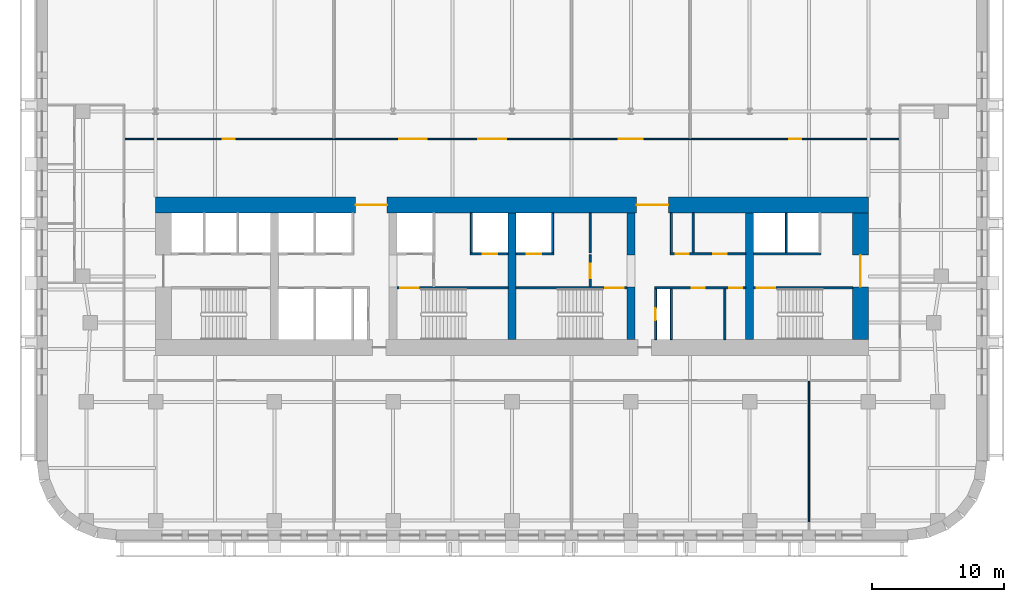
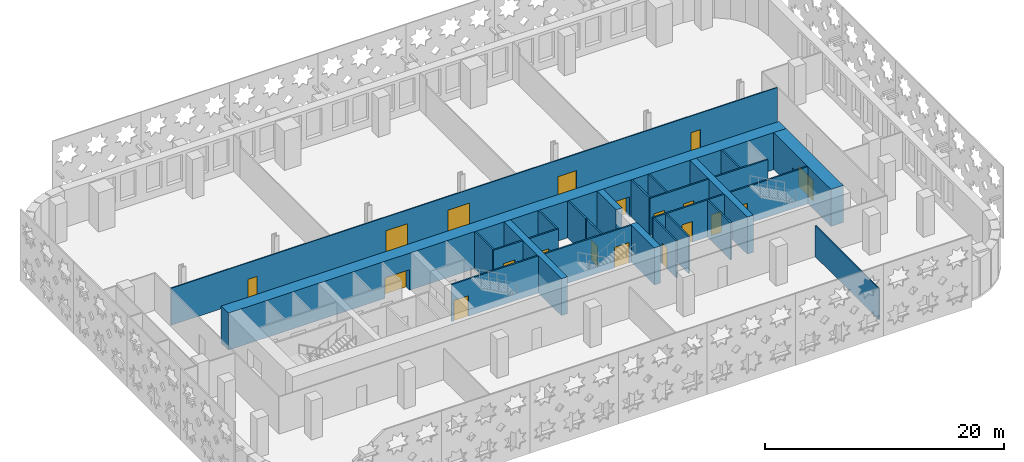
# One storey, part 6 of 14: 26 walls, 19 doors, 19 openings.
"""IFC4 building model written with IfcOpenShell, lengths in metres."""

from ifc_helpers import new_model, si_unit, direction, frame, frame_2d, origin, place, context, subcontext, project, spatial, rectangle, extrude, material, layer, layer_set, type_object, element, fill, save


model = new_model("IFC4")

# Units and contexts
model_context = context("Model", 3, precision=1e-05, world=origin(), true_north=direction((0.0, 1.0)))
body_context = subcontext(model_context, "Body", "Model", "MODEL_VIEW")
ifc_project = project(units=[si_unit("LENGTHUNIT", "METRE"), si_unit("AREAUNIT", "SQUARE_METRE"), si_unit("VOLUMEUNIT", "CUBIC_METRE"), si_unit("PLANEANGLEUNIT", "RADIAN"), si_unit("MASSUNIT", "GRAM", prefix="KILO")], contexts=[model_context])

# Site, building, storey
site_placement = place(None, origin())
site = spatial("IfcSite", under=ifc_project, at=site_placement, CompositionType="ELEMENT")
building_placement = place(site_placement, origin())
building = spatial("IfcBuilding", under=site, at=building_placement, Name="Zellij Exchange Tower", CompositionType="ELEMENT")
storey_placement = place(building_placement, frame((0.0, 0.0, 68.5)))
storey = spatial("IfcBuildingStorey", under=building, at=storey_placement, Name="L13", CompositionType="ELEMENT", Elevation=68.5)

# Walls
ifc_material_1 = material(Name="Concrete C70/85", Category="concrete")
ifc_layer_1 = layer(ifc_material_1, 0.60009765625)
ifc_layer_set_1 = layer_set([ifc_layer_1], Name="Concrete C70/85")
wall_type_1 = type_object("IfcWallType", Name="CORE-CW 600 C70/85", PredefinedType="SHEAR", material=ifc_layer_set_1)
wall_1_placement = place(storey_placement, frame((0.0, -12.800048828125, 0.0), z_axis=(0.0, 0.0, 1.0), x_axis=(0.0, 1.0, 0.0)))
element("IfcWall", 1, at=wall_1_placement, inside=storey, type_object=wall_type_1, Name="Core cross wall x 0 L13", PredefinedType="SHEAR", context=body_context, shape_type="SweptSolid", body=[
    extrude(rectangle(XDim=9.60009765625, YDim=0.60009765625, at=frame_2d((4.800048828125, 0.0))), origin(), (0.0, 0.0, 1.0), 3.800048828125),
])
wall_2_placement = place(storey_placement, frame((9.0, -12.800048828125, 0.0), z_axis=(0.0, 0.0, 1.0), x_axis=(0.0, 1.0, 0.0)))
element("IfcWall", 2, at=wall_2_placement, inside=storey, type_object=wall_type_1, Name="Core cross wall pier x 9 a L13", PredefinedType="SHEAR", context=body_context, shape_type="SweptSolid", body=[
    extrude(rectangle(XDim=4.0, YDim=0.60009765625, at=frame_2d((2.0, 0.0))), origin(), (0.0, 0.0, 1.0), 3.800048828125),
])
wall_3_placement = place(storey_placement, frame((9.0, -6.375, 0.0), z_axis=(0.0, 0.0, 1.0), x_axis=(0.0, 1.0, 0.0)))
element("IfcWall", 3, at=wall_3_placement, inside=storey, type_object=wall_type_1, Name="Core cross wall pier x 9 b L13", PredefinedType="SHEAR", context=body_context, shape_type="SweptSolid", body=[
    extrude(rectangle(XDim=3.175048828125, YDim=0.60009765625, at=frame_2d((1.58740234375, 0.0))), origin(), (0.0, 0.0, 1.0), 3.800048828125),
])
wall_4_placement = place(storey_placement, frame((18.0, -12.800048828125, 0.0), z_axis=(0.0, 0.0, 1.0), x_axis=(0.0, 1.0, 0.0)))
element("IfcWall", 4, at=wall_4_placement, inside=storey, type_object=wall_type_1, Name="Core cross wall x 18 L13", PredefinedType="SHEAR", context=body_context, shape_type="SweptSolid", body=[
    extrude(rectangle(XDim=9.60009765625, YDim=0.60009765625, at=frame_2d((4.800048828125, 0.0))), origin(), (0.0, 0.0, 1.0), 3.800048828125),
])

# Wall, opening, door
ifc_material_2 = material(Name="Gypsum shaft wall system")
ifc_layer_2 = layer(ifc_material_2, 0.14990234375)
ifc_layer_set_2 = layer_set([ifc_layer_2], Name="Gypsum shaft wall system")
wall_type_2 = type_object("IfcWallType", Name="CORE-PW 150 Firefighting lobby wall", PredefinedType="PARTITIONING", material=ifc_layer_set_2)
wall_5_placement = place(storey_placement, frame((5.925048828125, -8.800048828125, 0.0), z_axis=(0.0, 0.0, 1.0), x_axis=(0.0, 1.0, 0.0)))
wall_5 = element("IfcWall", 5, at=wall_5_placement, inside=storey, type_object=wall_type_2, Name="Firefighting lobby wall L13", PredefinedType="PARTITIONING", context=body_context, shape_type="SweptSolid", body=[
    extrude(rectangle(XDim=2.425048828125, YDim=0.14990234375, at=frame_2d((1.21240234375, 0.0))), origin(), (0.0, 0.0, 1.0), 3.800048828125),
])
opening_1_placement = place(wall_5_placement, frame((0.662109375, 0.0, 0.0)))
opening_1 = element("IfcOpeningElement", 6, at=opening_1_placement, cuts=wall_5, Name="Opening CA-08.18", PredefinedType="OPENING", context=body_context, shape_type="SweptSolid", body=[
    extrude(rectangle(XDim=1.10009765625, YDim=2.10009765625, at=frame_2d((0.550048828125, 1.050048828125))), frame((0.0, 0.0869140625, 0.0), z_axis=(0.0, -1.0, 0.0), x_axis=(1.0, 0.0, 0.0)), (0.0, 0.0, 1.0), 0.173828125),
])
ifc_material_3 = material(Name="Hollow metal fire door")
door_type_1 = type_object("IfcDoorType", Name="CORE-D F Firefighting lobby door 1100x2100 1 HR", OperationType="NOTDEFINED", PredefinedType="DOOR", material=ifc_material_3)
door_1_placement = place(opening_1_placement, origin())
door_1 = element("IfcDoor", 7, at=door_1_placement, inside=storey, type_object=door_type_1, Name="Firefighting lobby door CA-08.18", OperationType="SINGLE_SWING_RIGHT", OverallHeight=2.10009765625, OverallWidth=1.10009765625, PredefinedType="DOOR", context=body_context, shape_type="SweptSolid", body=[
    extrude(rectangle(XDim=1.10009765625, YDim=2.10009765625, at=frame_2d((0.550048828125, 1.050048828125))), frame((0.0, 0.02490234375, 0.0), z_axis=(0.0, -1.0, 0.0), x_axis=(1.0, 0.0, 0.0)), (0.0, 0.0, 1.0), 0.050048828125),
])
fill(opening_1, door_1)

# Walls
ifc_material_4 = material(Name="Gypsum board partition")
ifc_layer_3 = layer(ifc_material_4, 0.14990234375)
ifc_layer_set_3 = layer_set([ifc_layer_3], Name="Gypsum board partition")
wall_type_3 = type_object("IfcWallType", Name="CORE-PW 150 Lift lobby wall", PredefinedType="PARTITIONING", material=ifc_layer_set_3)
for number, where, z_axis, x_axis, name in (
    (8, (5.925048828125, -6.22509765625, 0.0), (0.0, 0.0, 1.0), (0.0, 1.0, 0.0), "Lift lobby wall L13"),
    (9, (12.074951171875, -6.22509765625, 0.0), (0.0, 0.0, 1.0), (0.0, 1.0, 0.0), "Lift lobby wall L13"),
    (10, (13.72509765625, -6.22509765625, 0.0), (0.0, 0.0, 1.0), (0.0, 1.0, 0.0), "Lift lobby wall L13"),
):
    element("IfcWall", number, at=place(storey_placement, frame(where, z_axis=z_axis, x_axis=x_axis)), inside=storey, type_object=wall_type_3, Name=name, PredefinedType="PARTITIONING", context=body_context, shape_type="SweptSolid", body=[
        extrude(rectangle(XDim=3.025146484375, YDim=0.14990234375, at=frame_2d((1.5126953125, 0.0))), origin(), (0.0, 0.0, 1.0), 3.800048828125),
    ])

# Wall, opening, door
wall_6_placement = place(storey_placement, frame((10.875, -12.800048828125, 0.0), z_axis=(0.0, 0.0, 1.0), x_axis=(0.0, 1.0, 0.0)))
wall_6 = element("IfcWall", 11, at=wall_6_placement, inside=storey, type_object=wall_type_3, Name="Lift lobby wall L13", PredefinedType="PARTITIONING", context=body_context, shape_type="SweptSolid", body=[
    extrude(rectangle(XDim=3.85009765625, YDim=0.14990234375, at=frame_2d((1.925048828125, 0.0))), origin(), (0.0, 0.0, 1.0), 3.800048828125),
])
opening_2_placement = place(wall_6_placement, frame((1.47509765625, 0.0, 0.0)))
opening_2 = element("IfcOpeningElement", 12, at=opening_2_placement, cuts=wall_6, Name="Opening CA-08.22", PredefinedType="OPENING", context=body_context, shape_type="SweptSolid", body=[
    extrude(rectangle(XDim=0.89990234375, YDim=2.10009765625, at=frame_2d((0.449951171875, 1.050048828125))), frame((0.0, 0.0869140625, 0.0), z_axis=(0.0, -1.0, 0.0), x_axis=(1.0, 0.0, 0.0)), (0.0, 0.0, 1.0), 0.173828125),
])
door_type_2 = type_object("IfcDoorType", Name="CORE-D RD Riser door 900x2100 1.5 HR", OperationType="NOTDEFINED", PredefinedType="DOOR", material=ifc_material_3)
door_2_placement = place(opening_2_placement, origin())
door_2 = element("IfcDoor", 13, at=door_2_placement, inside=storey, type_object=door_type_2, Name="Riser door CA-08.22", OperationType="SINGLE_SWING_LEFT", OverallHeight=2.10009765625, OverallWidth=0.89990234375, PredefinedType="DOOR", context=body_context, shape_type="SweptSolid", body=[
    extrude(rectangle(XDim=0.89990234375, YDim=2.10009765625, at=frame_2d((0.449951171875, 1.050048828125))), frame((0.0, 0.02490234375, 0.0), z_axis=(0.0, -1.0, 0.0), x_axis=(1.0, 0.0, 0.0)), (0.0, 0.0, 1.0), 0.050048828125),
])
fill(opening_2, door_2)

# Walls
for number, where, z_axis, x_axis, name in (
    (14, (12.074951171875, -12.800048828125, 0.0), (0.0, 0.0, 1.0), (0.0, 1.0, 0.0), "Lift lobby wall L13"),
    (15, (16.125, -12.800048828125, 0.0), (0.0, 0.0, 1.0), (0.0, 1.0, 0.0), "Lift lobby wall L13"),
):
    element("IfcWall", number, at=place(storey_placement, frame(where, z_axis=z_axis, x_axis=x_axis)), inside=storey, type_object=wall_type_3, Name=name, PredefinedType="PARTITIONING", context=body_context, shape_type="SweptSolid", body=[
        extrude(rectangle(XDim=3.85009765625, YDim=0.14990234375, at=frame_2d((1.925048828125, 0.0))), origin(), (0.0, 0.0, 1.0), 3.800048828125),
    ])

# Wall, openings, doors
wall_7_placement = place(storey_placement, frame((12.0, -6.300048828125, 0.0), z_axis=(0.0, 0.0, 1.0), x_axis=(1.0, 0.0, 0.0)))
wall_7 = element("IfcWall", 16, at=wall_7_placement, inside=storey, type_object=wall_type_3, Name="Lift lobby wall L13", PredefinedType="PARTITIONING", context=body_context, shape_type="SweptSolid", body=[
    extrude(rectangle(XDim=5.699951171875, YDim=0.14990234375, at=frame_2d((2.85009765625, 0.0))), origin(), (0.0, 0.0, 1.0), 3.800048828125),
])
opening_3_placement = place(wall_7_placement, frame((0.39990234375, 0.0, 0.0)))
opening_3 = element("IfcOpeningElement", 17, at=opening_3_placement, cuts=wall_7, Name="Opening CA-08.23", PredefinedType="OPENING", context=body_context, shape_type="SweptSolid", body=[
    extrude(rectangle(XDim=1.0, YDim=2.10009765625, at=frame_2d((0.5, 1.050048828125))), frame((0.0, 0.0869140625, 0.0), z_axis=(0.0, -1.0, 0.0), x_axis=(1.0, 0.0, 0.0)), (0.0, 0.0, 1.0), 0.173828125),
])
opening_4_placement = place(wall_7_placement, frame((3.25, 0.0, 0.0)))
opening_4 = element("IfcOpeningElement", 18, at=opening_4_placement, cuts=wall_7, Name="Opening CA-08.25", PredefinedType="OPENING", context=body_context, shape_type="SweptSolid", body=[
    extrude(rectangle(XDim=1.0, YDim=2.10009765625, at=frame_2d((0.5, 1.050048828125))), frame((0.0, 0.0869140625, 0.0), z_axis=(0.0, -1.0, 0.0), x_axis=(1.0, 0.0, 0.0)), (0.0, 0.0, 1.0), 0.173828125),
])
door_type_3 = type_object("IfcDoorType", Name="CORE-D CD Core room door 1000x2100 1 HR", OperationType="NOTDEFINED", PredefinedType="DOOR", material=ifc_material_3)
door_3_placement = place(opening_3_placement, origin())
door_3 = element("IfcDoor", 19, at=door_3_placement, inside=storey, type_object=door_type_3, Name="Core room door CA-08.23", OperationType="SINGLE_SWING_LEFT", OverallHeight=2.10009765625, OverallWidth=1.0, PredefinedType="DOOR", context=body_context, shape_type="SweptSolid", body=[
    extrude(rectangle(XDim=1.0, YDim=2.10009765625, at=frame_2d((0.5, 1.050048828125))), frame((0.0, 0.02490234375, 0.0), z_axis=(0.0, -1.0, 0.0), x_axis=(1.0, 0.0, 0.0)), (0.0, 0.0, 1.0), 0.050048828125),
])
fill(opening_3, door_3)
door_4_placement = place(opening_4_placement, origin())
door_4 = element("IfcDoor", 20, at=door_4_placement, inside=storey, type_object=door_type_3, Name="Core room door CA-08.25", OperationType="SINGLE_SWING_RIGHT", OverallHeight=2.10009765625, OverallWidth=1.0, PredefinedType="DOOR", context=body_context, shape_type="SweptSolid", body=[
    extrude(rectangle(XDim=1.0, YDim=2.10009765625, at=frame_2d((0.5, 1.050048828125))), frame((0.0, 0.02490234375, 0.0), z_axis=(0.0, -1.0, 0.0), x_axis=(1.0, 0.0, 0.0)), (0.0, 0.0, 1.0), 0.050048828125),
])
fill(opening_4, door_4)

wall_8_placement = place(storey_placement, frame((10.800048828125, -8.875, 0.0), z_axis=(0.0, 0.0, 1.0), x_axis=(1.0, 0.0, 0.0)))
wall_8 = element("IfcWall", 21, at=wall_8_placement, inside=storey, type_object=wall_type_3, Name="Lift lobby wall L13", PredefinedType="PARTITIONING", context=body_context, shape_type="SweptSolid", body=[
    extrude(rectangle(XDim=6.89990234375, YDim=0.14990234375, at=frame_2d((3.449951171875, 0.0))), origin(), (0.0, 0.0, 1.0), 3.800048828125),
])
opening_5_placement = place(wall_8_placement, frame((2.800048828125, 0.0, 0.0)))
opening_5 = element("IfcOpeningElement", 22, at=opening_5_placement, cuts=wall_8, Name="Opening CA-08.24", PredefinedType="OPENING", context=body_context, shape_type="SweptSolid", body=[
    extrude(rectangle(XDim=1.0, YDim=2.10009765625, at=frame_2d((0.5, 1.050048828125))), frame((0.0, 0.0869140625, 0.0), z_axis=(0.0, -1.0, 0.0), x_axis=(1.0, 0.0, 0.0)), (0.0, 0.0, 1.0), 0.173828125),
])
opening_6_placement = place(wall_8_placement, frame((5.64990234375, 0.0, 0.0)))
opening_6 = element("IfcOpeningElement", 23, at=opening_6_placement, cuts=wall_8, Name="Opening CA-08.26", PredefinedType="OPENING", context=body_context, shape_type="SweptSolid", body=[
    extrude(rectangle(XDim=1.0, YDim=2.10009765625, at=frame_2d((0.5, 1.050048828125))), frame((0.0, 0.0869140625, 0.0), z_axis=(0.0, -1.0, 0.0), x_axis=(1.0, 0.0, 0.0)), (0.0, 0.0, 1.0), 0.173828125),
])
door_5_placement = place(opening_5_placement, origin())
door_5 = element("IfcDoor", 24, at=door_5_placement, inside=storey, type_object=door_type_3, Name="Core room door CA-08.24", OperationType="SINGLE_SWING_RIGHT", OverallHeight=2.10009765625, OverallWidth=1.0, PredefinedType="DOOR", context=body_context, shape_type="SweptSolid", body=[
    extrude(rectangle(XDim=1.0, YDim=2.10009765625, at=frame_2d((0.5, 1.050048828125))), frame((0.0, 0.02490234375, 0.0), z_axis=(0.0, -1.0, 0.0), x_axis=(1.0, 0.0, 0.0)), (0.0, 0.0, 1.0), 0.050048828125),
])
fill(opening_5, door_5)
door_6_placement = place(opening_6_placement, origin())
door_6 = element("IfcDoor", 25, at=door_6_placement, inside=storey, type_object=door_type_3, Name="Core room door CA-08.26", OperationType="SINGLE_SWING_LEFT", OverallHeight=2.10009765625, OverallWidth=1.0, PredefinedType="DOOR", context=body_context, shape_type="SweptSolid", body=[
    extrude(rectangle(XDim=1.0, YDim=2.10009765625, at=frame_2d((0.5, 1.050048828125))), frame((0.0, 0.02490234375, 0.0), z_axis=(0.0, -1.0, 0.0), x_axis=(1.0, 0.0, 0.0)), (0.0, 0.0, 1.0), 0.050048828125),
])
fill(opening_6, door_6)

# Walls
ifc_layer_4 = layer(ifc_material_2, 0.14990234375)
ifc_layer_set_4 = layer_set([ifc_layer_4], Name="Gypsum shaft wall system")
wall_type_4 = type_object("IfcWallType", Name="CORE-PW 150 Lift shaft wall", PredefinedType="PARTITIONING", material=ifc_layer_set_4)
for number, where, z_axis, x_axis, name in (
    (26, (-3.074951171875, -6.22509765625, 0.0), (0.0, 0.0, 1.0), (0.0, 1.0, 0.0), "Lift shaft wall L13"),
    (27, (3.074951171875, -6.22509765625, 0.0), (0.0, 0.0, 1.0), (0.0, 1.0, 0.0), "Lift shaft wall L13"),
    (28, (20.77490234375, -6.22509765625, 0.0), (0.0, 0.0, 1.0), (0.0, 1.0, 0.0), "Lift shaft wall L13"),
):
    element("IfcWall", number, at=place(storey_placement, frame(where, z_axis=z_axis, x_axis=x_axis)), inside=storey, type_object=wall_type_4, Name=name, PredefinedType="PARTITIONING", context=body_context, shape_type="SweptSolid", body=[
        extrude(rectangle(XDim=3.025146484375, YDim=0.14990234375, at=frame_2d((1.5126953125, 0.0))), origin(), (0.0, 0.0, 1.0), 3.800048828125),
    ])

# Wall, opening, door
wall_9_placement = place(storey_placement, frame((-3.14990234375, -6.300048828125, 0.0), z_axis=(0.0, 0.0, 1.0), x_axis=(1.0, 0.0, 0.0)))
wall_9 = element("IfcWall", 29, at=wall_9_placement, inside=storey, type_object=wall_type_4, Name="Lift shaft wall L13", PredefinedType="PARTITIONING", context=body_context, shape_type="SweptSolid", body=[
    extrude(rectangle(XDim=2.849853515625, YDim=0.14990234375, at=frame_2d((1.4248046875, 0.0))), origin(), (0.0, 0.0, 1.0), 3.800048828125),
])
opening_7_placement = place(wall_9_placement, frame((0.949951171875, 0.0, 0.0)))
opening_7 = element("IfcOpeningElement", 30, at=opening_7_placement, cuts=wall_9, Name="Opening CA-08.16", PredefinedType="OPENING", context=body_context, shape_type="SweptSolid", body=[
    extrude(rectangle(XDim=1.10009765625, YDim=2.10009765625, at=frame_2d((0.550048828125, 1.050048828125))), frame((0.0, 0.0869140625, 0.0), z_axis=(0.0, -1.0, 0.0), x_axis=(1.0, 0.0, 0.0)), (0.0, 0.0, 1.0), 0.173828125),
])
door_type_4 = type_object("IfcDoorType", Name="CORE-D LD Lift landing door 1100x2100 1.5 HR", OperationType="NOTDEFINED", PredefinedType="DOOR", material=ifc_material_3)
door_7_placement = place(opening_7_placement, origin())
door_7 = element("IfcDoor", 31, at=door_7_placement, inside=storey, type_object=door_type_4, Name="Lift landing door CA-08.16", OperationType="SLIDING_TO_RIGHT", OverallHeight=2.10009765625, OverallWidth=1.10009765625, PredefinedType="DOOR", context=body_context, shape_type="SweptSolid", body=[
    extrude(rectangle(XDim=1.10009765625, YDim=2.10009765625, at=frame_2d((0.550048828125, 1.050048828125))), frame((0.0, 0.02490234375, 0.0), z_axis=(0.0, -1.0, 0.0), x_axis=(1.0, 0.0, 0.0)), (0.0, 0.0, 1.0), 0.050048828125),
])
fill(opening_7, door_7)

wall_10_placement = place(storey_placement, frame((0.300048828125, -6.300048828125, 0.0), z_axis=(0.0, 0.0, 1.0), x_axis=(1.0, 0.0, 0.0)))
wall_10 = element("IfcWall", 32, at=wall_10_placement, inside=storey, type_object=wall_type_4, Name="Lift shaft wall L13", PredefinedType="PARTITIONING", context=body_context, shape_type="SweptSolid", body=[
    extrude(rectangle(XDim=2.849853515625, YDim=0.14990234375, at=frame_2d((1.4248046875, 0.0))), origin(), (0.0, 0.0, 1.0), 3.800048828125),
])
opening_8_placement = place(wall_10_placement, frame((0.800048828125, 0.0, 0.0)))
opening_8 = element("IfcOpeningElement", 33, at=opening_8_placement, cuts=wall_10, Name="Opening CA-08.17", PredefinedType="OPENING", context=body_context, shape_type="SweptSolid", body=[
    extrude(rectangle(XDim=1.10009765625, YDim=2.10009765625, at=frame_2d((0.550048828125, 1.050048828125))), frame((0.0, 0.0869140625, 0.0), z_axis=(0.0, -1.0, 0.0), x_axis=(1.0, 0.0, 0.0)), (0.0, 0.0, 1.0), 0.173828125),
])
door_8_placement = place(opening_8_placement, origin())
door_8 = element("IfcDoor", 34, at=door_8_placement, inside=storey, type_object=door_type_4, Name="Lift landing door CA-08.17", OperationType="SLIDING_TO_LEFT", OverallHeight=2.10009765625, OverallWidth=1.10009765625, PredefinedType="DOOR", context=body_context, shape_type="SweptSolid", body=[
    extrude(rectangle(XDim=1.10009765625, YDim=2.10009765625, at=frame_2d((0.550048828125, 1.050048828125))), frame((0.0, 0.02490234375, 0.0), z_axis=(0.0, -1.0, 0.0), x_axis=(1.0, 0.0, 0.0)), (0.0, 0.0, 1.0), 0.050048828125),
])
fill(opening_8, door_8)

# Wall
wall_11_placement = place(storey_placement, frame((18.300048828125, -6.300048828125, 0.0), z_axis=(0.0, 0.0, 1.0), x_axis=(1.0, 0.0, 0.0)))
element("IfcWall", 35, at=wall_11_placement, inside=storey, type_object=wall_type_4, Name="Lift shaft wall L13", PredefinedType="PARTITIONING", context=body_context, shape_type="SweptSolid", body=[
    extrude(rectangle(XDim=5.099853515625, YDim=0.14990234375, at=frame_2d((2.5498046875, 0.0))), origin(), (0.0, 0.0, 1.0), 3.800048828125),
])

# Wall, openings, doors
ifc_layer_5 = layer(ifc_material_1, 1.199951171875)
ifc_layer_set_5 = layer_set([ifc_layer_5], Name="Concrete C70/85")
wall_type_5 = type_object("IfcWallType", Name="CORE-SW 1200 C70/85", PredefinedType="SHEAR", material=ifc_layer_set_5)
wall_12_placement = place(storey_placement, frame((-27.0, -2.60009765625, 0.0), z_axis=(0.0, 0.0, 1.0), x_axis=(1.0, 0.0, 0.0)))
wall_12 = element("IfcWall", 36, at=wall_12_placement, inside=storey, type_object=wall_type_5, Name="Core shear wall front L13", PredefinedType="SHEAR", context=body_context, shape_type="SweptSolid", body=[
    extrude(rectangle(XDim=54.0, YDim=1.199951171875, at=frame_2d((27.0, 0.0))), origin(), (0.0, 0.0, 1.0), 3.800048828125),
])
opening_9_placement = place(wall_12_placement, frame((15.14990234375, 0.0, 0.0)))
opening_9 = element("IfcOpeningElement", 37, at=opening_9_placement, cuts=wall_12, Name="Opening CA-08.11", PredefinedType="OPENING", context=body_context, shape_type="SweptSolid", body=[
    extrude(rectangle(XDim=2.39990234375, YDim=2.10009765625, at=frame_2d((1.199951171875, 1.050048828125))), frame((0.0, 0.61181640625, 0.0), z_axis=(0.0, -1.0, 0.0), x_axis=(1.0, 0.0, 0.0)), (0.0, 0.0, 1.0), 1.223876953125),
])
opening_10_placement = place(wall_12_placement, frame((36.449951171875, 0.0, 0.0)))
opening_10 = element("IfcOpeningElement", 38, at=opening_10_placement, cuts=wall_12, Name="Opening CA-08.21", PredefinedType="OPENING", context=body_context, shape_type="SweptSolid", body=[
    extrude(rectangle(XDim=2.39990234375, YDim=2.10009765625, at=frame_2d((1.199951171875, 1.050048828125))), frame((0.0, 0.61181640625, 0.0), z_axis=(0.0, -1.0, 0.0), x_axis=(1.0, 0.0, 0.0)), (0.0, 0.0, 1.0), 1.223876953125),
])
door_type_5 = type_object("IfcDoorType", Name="CORE-D CE Core entrance door 2400x2100 20 MIN", OperationType="NOTDEFINED", PredefinedType="DOOR", material=ifc_material_3)
door_9_placement = place(opening_9_placement, origin())
door_9 = element("IfcDoor", 39, at=door_9_placement, inside=storey, type_object=door_type_5, Name="Core entrance door CA-08.11", OperationType="DOUBLE_DOOR_SINGLE_SWING", OverallHeight=2.10009765625, OverallWidth=2.39990234375, PredefinedType="DOOR", context=body_context, shape_type="SweptSolid", body=[
    extrude(rectangle(XDim=2.39990234375, YDim=2.10009765625, at=frame_2d((1.199951171875, 1.050048828125))), frame((0.0, 0.02490234375, 0.0), z_axis=(0.0, -1.0, 0.0), x_axis=(1.0, 0.0, 0.0)), (0.0, 0.0, 1.0), 0.050048828125),
])
fill(opening_9, door_9)
door_10_placement = place(opening_10_placement, origin())
door_10 = element("IfcDoor", 40, at=door_10_placement, inside=storey, type_object=door_type_5, Name="Core entrance door CA-08.21", OperationType="DOUBLE_DOOR_SINGLE_SWING", OverallHeight=2.10009765625, OverallWidth=2.39990234375, PredefinedType="DOOR", context=body_context, shape_type="SweptSolid", body=[
    extrude(rectangle(XDim=2.39990234375, YDim=2.10009765625, at=frame_2d((1.199951171875, 1.050048828125))), frame((0.0, 0.02490234375, 0.0), z_axis=(0.0, -1.0, 0.0), x_axis=(1.0, 0.0, 0.0)), (0.0, 0.0, 1.0), 0.050048828125),
])
fill(opening_10, door_10)

# Wall, opening, door
wall_13_placement = place(storey_placement, frame((26.39990234375, -12.800048828125, 0.0), z_axis=(0.0, 0.0, 1.0), x_axis=(0.0, 1.0, 0.0)))
wall_13 = element("IfcWall", 41, at=wall_13_placement, inside=storey, type_object=wall_type_5, Name="Core shear wall end e L13", PredefinedType="SHEAR", context=body_context, shape_type="SweptSolid", body=[
    extrude(rectangle(XDim=9.60009765625, YDim=1.199951171875, at=frame_2d((4.800048828125, 0.0))), origin(), (0.0, 0.0, 1.0), 3.800048828125),
])
opening_11_placement = place(wall_13_placement, frame((4.011962890625, 0.0, 0.0)))
opening_11 = element("IfcOpeningElement", 42, at=opening_11_placement, cuts=wall_13, Name="Opening CA-08.28", PredefinedType="OPENING", context=body_context, shape_type="SweptSolid", body=[
    extrude(rectangle(XDim=2.39990234375, YDim=2.10009765625, at=frame_2d((1.199951171875, 1.050048828125))), frame((0.0, 0.61181640625, 0.0), z_axis=(0.0, -1.0, 0.0), x_axis=(1.0, 0.0, 0.0)), (0.0, 0.0, 1.0), 1.223876953125),
])
door_11_placement = place(opening_11_placement, origin())
door_11 = element("IfcDoor", 43, at=door_11_placement, inside=storey, type_object=door_type_5, Name="Core entrance door CA-08.28", OperationType="DOUBLE_DOOR_SINGLE_SWING", OverallHeight=2.10009765625, OverallWidth=2.39990234375, PredefinedType="DOOR", context=body_context, shape_type="SweptSolid", body=[
    extrude(rectangle(XDim=2.39990234375, YDim=2.10009765625, at=frame_2d((1.199951171875, 1.050048828125))), frame((0.0, 0.02490234375, 0.0), z_axis=(0.0, -1.0, 0.0), x_axis=(1.0, 0.0, 0.0)), (0.0, 0.0, 1.0), 0.050048828125),
])
fill(opening_11, door_11)

ifc_layer_6 = layer(ifc_material_1, 0.14990234375)
ifc_layer_set_6 = layer_set([ifc_layer_6], Name="Concrete C70/85")
wall_type_6 = type_object("IfcWallType", Name="CORE-SWS 150 C70/85", PredefinedType="SHEAR", material=ifc_layer_set_6)
wall_14_placement = place(storey_placement, frame((-8.699951171875, -8.875, 0.0), z_axis=(0.0, 0.0, 1.0), x_axis=(1.0, 0.0, 0.0)))
wall_14 = element("IfcWall", 44, at=wall_14_placement, inside=storey, type_object=wall_type_6, Name="Stair enclosure wall L13", PredefinedType="SHEAR", context=body_context, shape_type="SweptSolid", body=[
    extrude(rectangle(XDim=8.39990234375, YDim=0.14990234375, at=frame_2d((4.199951171875, 0.0))), origin(), (0.0, 0.0, 1.0), 3.800048828125),
])
opening_12_placement = place(wall_14_placement, frame((0.22509765625, 0.0, 0.0)))
opening_12 = element("IfcOpeningElement", 45, at=opening_12_placement, cuts=wall_14, Name="Opening CA-08.13", PredefinedType="OPENING", context=body_context, shape_type="SweptSolid", body=[
    extrude(rectangle(XDim=1.39990234375, YDim=2.10009765625, at=frame_2d((0.699951171875, 1.050048828125))), frame((0.0, 0.0869140625, 0.0), z_axis=(0.0, -1.0, 0.0), x_axis=(1.0, 0.0, 0.0)), (0.0, 0.0, 1.0), 0.173828125),
])
door_type_6 = type_object("IfcDoorType", Name="CORE-D SD Stair door 1400x2100 1.5 HR", OperationType="NOTDEFINED", PredefinedType="DOOR", material=ifc_material_3)
door_12_placement = place(opening_12_placement, origin())
door_12 = element("IfcDoor", 46, at=door_12_placement, inside=storey, type_object=door_type_6, Name="Stair door CA-08.13", OperationType="DOUBLE_DOOR_SINGLE_SWING", OverallHeight=2.10009765625, OverallWidth=1.39990234375, PredefinedType="DOOR", context=body_context, shape_type="SweptSolid", body=[
    extrude(rectangle(XDim=1.39990234375, YDim=2.10009765625, at=frame_2d((0.699951171875, 1.050048828125))), frame((0.0, 0.02490234375, 0.0), z_axis=(0.0, -1.0, 0.0), x_axis=(1.0, 0.0, 0.0)), (0.0, 0.0, 1.0), 0.050048828125),
])
fill(opening_12, door_12)

wall_15_placement = place(storey_placement, frame((0.300048828125, -8.875, 0.0), z_axis=(0.0, 0.0, 1.0), x_axis=(1.0, 0.0, 0.0)))
wall_15 = element("IfcWall", 47, at=wall_15_placement, inside=storey, type_object=wall_type_6, Name="Stair enclosure wall L13", PredefinedType="SHEAR", context=body_context, shape_type="SweptSolid", body=[
    extrude(rectangle(XDim=8.39990234375, YDim=0.14990234375, at=frame_2d((4.199951171875, 0.0))), origin(), (0.0, 0.0, 1.0), 3.800048828125),
])
opening_13_placement = place(wall_15_placement, frame((6.77490234375, 0.0, 0.0)))
opening_13 = element("IfcOpeningElement", 48, at=opening_13_placement, cuts=wall_15, Name="Opening CA-08.19", PredefinedType="OPENING", context=body_context, shape_type="SweptSolid", body=[
    extrude(rectangle(XDim=1.39990234375, YDim=2.10009765625, at=frame_2d((0.699951171875, 1.050048828125))), frame((0.0, 0.0869140625, 0.0), z_axis=(0.0, -1.0, 0.0), x_axis=(1.0, 0.0, 0.0)), (0.0, 0.0, 1.0), 0.173828125),
])
door_13_placement = place(opening_13_placement, origin())
door_13 = element("IfcDoor", 49, at=door_13_placement, inside=storey, type_object=door_type_6, Name="Stair door CA-08.19", OperationType="DOUBLE_DOOR_SINGLE_SWING", OverallHeight=2.10009765625, OverallWidth=1.39990234375, PredefinedType="DOOR", context=body_context, shape_type="SweptSolid", body=[
    extrude(rectangle(XDim=1.39990234375, YDim=2.10009765625, at=frame_2d((0.699951171875, 1.050048828125))), frame((0.0, 0.02490234375, 0.0), z_axis=(0.0, -1.0, 0.0), x_axis=(1.0, 0.0, 0.0)), (0.0, 0.0, 1.0), 0.050048828125),
])
fill(opening_13, door_13)

wall_16_placement = place(storey_placement, frame((18.300048828125, -8.875, 0.0), z_axis=(0.0, 0.0, 1.0), x_axis=(1.0, 0.0, 0.0)))
wall_16 = element("IfcWall", 50, at=wall_16_placement, inside=storey, type_object=wall_type_6, Name="Stair enclosure wall L13", PredefinedType="SHEAR", context=body_context, shape_type="SweptSolid", body=[
    extrude(rectangle(XDim=7.5, YDim=0.14990234375, at=frame_2d((3.75, 0.0))), origin(), (0.0, 0.0, 1.0), 3.800048828125),
])
opening_14_placement = place(wall_16_placement, frame((0.22509765625, 0.0, 0.0)))
opening_14 = element("IfcOpeningElement", 51, at=opening_14_placement, cuts=wall_16, Name="Opening CA-08.27", PredefinedType="OPENING", context=body_context, shape_type="SweptSolid", body=[
    extrude(rectangle(XDim=1.39990234375, YDim=2.10009765625, at=frame_2d((0.699951171875, 1.050048828125))), frame((0.0, 0.0869140625, 0.0), z_axis=(0.0, -1.0, 0.0), x_axis=(1.0, 0.0, 0.0)), (0.0, 0.0, 1.0), 0.173828125),
])
door_14_placement = place(opening_14_placement, origin())
door_14 = element("IfcDoor", 52, at=door_14_placement, inside=storey, type_object=door_type_6, Name="Stair door CA-08.27", OperationType="DOUBLE_DOOR_SINGLE_SWING", OverallHeight=2.10009765625, OverallWidth=1.39990234375, PredefinedType="DOOR", context=body_context, shape_type="SweptSolid", body=[
    extrude(rectangle(XDim=1.39990234375, YDim=2.10009765625, at=frame_2d((0.699951171875, 1.050048828125))), frame((0.0, 0.02490234375, 0.0), z_axis=(0.0, -1.0, 0.0), x_axis=(1.0, 0.0, 0.0)), (0.0, 0.0, 1.0), 0.050048828125),
])
fill(opening_14, door_14)

# Wall
ifc_material_5 = material(Name="Gypsum board partition on steel studs", Category="steel")
ifc_layer_7 = layer(ifc_material_5, 0.10009765625)
ifc_layer_set_7 = layer_set([ifc_layer_7], Name="Gypsum board partition on steel studs")
wall_type_7 = type_object("IfcWallType", Name="FIT-PARTITION-100", PredefinedType="PARTITIONING", material=ifc_layer_set_7)
wall_17_placement = place(storey_placement, frame((22.5, -26.614501953125, 0.0), z_axis=(0.0, 0.0, 1.0), x_axis=(0.0, 1.0, 0.0)))
element("IfcWall", 53, at=wall_17_placement, inside=storey, type_object=wall_type_7, Name="FIT-PARTITION-100 006", PredefinedType="PARTITIONING", context=body_context, shape_type="SweptSolid", body=[
    extrude(rectangle(XDim=10.66455078125, YDim=0.10009765625, at=frame_2d((5.332275390625, 0.0))), origin(), (0.0, 0.0, 1.0), 3.197998046875),
])

# Wall, openings, doors
wall_18_placement = place(storey_placement, frame((-29.35009765625, 2.39990234375, 0.0), z_axis=(0.0, 0.0, 1.0), x_axis=(1.0, 0.0, 0.0)))
wall_18 = element("IfcWall", 54, at=wall_18_placement, inside=storey, type_object=wall_type_7, Name="FIT-PARTITION-100 017", PredefinedType="PARTITIONING", context=body_context, shape_type="SweptSolid", body=[
    extrude(rectangle(XDim=58.7001953125, YDim=0.10009765625, at=frame_2d((29.35009765625, 0.0))), origin(), (0.0, 0.0, 1.0), 3.800048828125),
])
opening_15_placement = place(wall_18_placement, frame((7.449951171875, 0.0, 0.0)))
opening_15 = element("IfcOpeningElement", 55, at=opening_15_placement, cuts=wall_18, Name="Opening TB.09", PredefinedType="OPENING", context=body_context, shape_type="SweptSolid", body=[
    extrude(rectangle(XDim=0.89990234375, YDim=2.10009765625, at=frame_2d((0.449951171875, 1.050048828125))), frame((0.0, 0.06201171875, 0.0), z_axis=(0.0, -1.0, 0.0), x_axis=(1.0, 0.0, 0.0)), (0.0, 0.0, 1.0), 0.1240234375),
])
opening_16_placement = place(wall_18_placement, frame((20.800048828125, 0.0, 0.0)))
opening_16 = element("IfcOpeningElement", 56, at=opening_16_placement, cuts=wall_18, Name="Opening TB.10", PredefinedType="OPENING", context=body_context, shape_type="SweptSolid", body=[
    extrude(rectangle(XDim=2.10009765625, YDim=2.39990234375, at=frame_2d((1.050048828125, 1.199951171875))), frame((0.0, 0.06201171875, 0.0), z_axis=(0.0, -1.0, 0.0), x_axis=(1.0, 0.0, 0.0)), (0.0, 0.0, 1.0), 0.1240234375),
])
opening_17_placement = place(wall_18_placement, frame((26.800048828125, 0.0, 0.0)))
opening_17 = element("IfcOpeningElement", 57, at=opening_17_placement, cuts=wall_18, Name="Opening TB.11", PredefinedType="OPENING", context=body_context, shape_type="SweptSolid", body=[
    extrude(rectangle(XDim=2.10009765625, YDim=2.39990234375, at=frame_2d((1.050048828125, 1.199951171875))), frame((0.0, 0.06201171875, 0.0), z_axis=(0.0, -1.0, 0.0), x_axis=(1.0, 0.0, 0.0)), (0.0, 0.0, 1.0), 0.1240234375),
])
opening_18_placement = place(wall_18_placement, frame((37.449951171875, 0.0, 0.0)))
opening_18 = element("IfcOpeningElement", 58, at=opening_18_placement, cuts=wall_18, Name="Opening TB.12", PredefinedType="OPENING", context=body_context, shape_type="SweptSolid", body=[
    extrude(rectangle(XDim=1.800048828125, YDim=2.10009765625, at=frame_2d((0.89990234375, 1.050048828125))), frame((0.0, 0.06201171875, 0.0), z_axis=(0.0, -1.0, 0.0), x_axis=(1.0, 0.0, 0.0)), (0.0, 0.0, 1.0), 0.1240234375),
])
opening_19_placement = place(wall_18_placement, frame((50.35009765625, 0.0, 0.0)))
opening_19 = element("IfcOpeningElement", 59, at=opening_19_placement, cuts=wall_18, Name="Opening TB.13", PredefinedType="OPENING", context=body_context, shape_type="SweptSolid", body=[
    extrude(rectangle(XDim=0.89990234375, YDim=2.10009765625, at=frame_2d((0.449951171875, 1.050048828125))), frame((0.0, 0.06201171875, 0.0), z_axis=(0.0, -1.0, 0.0), x_axis=(1.0, 0.0, 0.0)), (0.0, 0.0, 1.0), 0.1240234375),
])
ifc_material_6 = material(Name="Timber door set", Category="wood")
door_type_7 = type_object("IfcDoorType", Name="FIT-D1-ROOM-900X2100", OperationType="SINGLE_SWING_LEFT", PredefinedType="DOOR", material=ifc_material_6)
door_15_placement = place(opening_15_placement, origin())
door_15 = element("IfcDoor", 60, at=door_15_placement, inside=storey, type_object=door_type_7, Name="Door TB.09", OperationType="SINGLE_SWING_RIGHT", OverallHeight=2.10009765625, OverallWidth=0.89990234375, PredefinedType="DOOR", context=body_context, shape_type="SweptSolid", body=[
    extrude(rectangle(XDim=0.89990234375, YDim=2.10009765625, at=frame_2d((0.449951171875, 1.050048828125))), frame((0.0, 0.02490234375, 0.0), z_axis=(0.0, -1.0, 0.0), x_axis=(1.0, 0.0, 0.0)), (0.0, 0.0, 1.0), 0.050048828125),
])
fill(opening_15, door_15)
door_16_placement = place(opening_19_placement, origin())
door_16 = element("IfcDoor", 61, at=door_16_placement, inside=storey, type_object=door_type_7, Name="Door TB.13", OperationType="SINGLE_SWING_RIGHT", OverallHeight=2.10009765625, OverallWidth=0.89990234375, PredefinedType="DOOR", context=body_context, shape_type="SweptSolid", body=[
    extrude(rectangle(XDim=0.89990234375, YDim=2.10009765625, at=frame_2d((0.449951171875, 1.050048828125))), frame((0.0, 0.02490234375, 0.0), z_axis=(0.0, -1.0, 0.0), x_axis=(1.0, 0.0, 0.0)), (0.0, 0.0, 1.0), 0.050048828125),
])
fill(opening_19, door_16)
door_type_8 = type_object("IfcDoorType", Name="FIT-D3-DOUBLE-1800X2100", OperationType="DOUBLE_DOOR_SINGLE_SWING", PredefinedType="DOOR", material=ifc_material_6)
door_17_placement = place(opening_18_placement, origin())
door_17 = element("IfcDoor", 62, at=door_17_placement, inside=storey, type_object=door_type_8, Name="Door TB.12", OperationType="DOUBLE_DOOR_SINGLE_SWING", OverallHeight=2.10009765625, OverallWidth=1.800048828125, PredefinedType="DOOR", context=body_context, shape_type="SweptSolid", body=[
    extrude(rectangle(XDim=1.800048828125, YDim=2.10009765625, at=frame_2d((0.89990234375, 1.050048828125))), frame((0.0, 0.02490234375, 0.0), z_axis=(0.0, -1.0, 0.0), x_axis=(1.0, 0.0, 0.0)), (0.0, 0.0, 1.0), 0.050048828125),
])
fill(opening_18, door_17)
door_type_9 = type_object("IfcDoorType", Name="FIT-D7-ASSEMBLY-2100X2400", OperationType="DOUBLE_DOOR_SINGLE_SWING", PredefinedType="DOOR", material=ifc_material_6)
door_18_placement = place(opening_16_placement, origin())
door_18 = element("IfcDoor", 63, at=door_18_placement, inside=storey, type_object=door_type_9, Name="Door TB.10", OperationType="DOUBLE_DOOR_SINGLE_SWING", OverallHeight=2.39990234375, OverallWidth=2.10009765625, PredefinedType="DOOR", context=body_context, shape_type="SweptSolid", body=[
    extrude(rectangle(XDim=2.10009765625, YDim=2.39990234375, at=frame_2d((1.050048828125, 1.199951171875))), frame((0.0, 0.02490234375, 0.0), z_axis=(0.0, -1.0, 0.0), x_axis=(1.0, 0.0, 0.0)), (0.0, 0.0, 1.0), 0.050048828125),
])
fill(opening_16, door_18)
door_19_placement = place(opening_17_placement, origin())
door_19 = element("IfcDoor", 64, at=door_19_placement, inside=storey, type_object=door_type_9, Name="Door TB.11", OperationType="DOUBLE_DOOR_SINGLE_SWING", OverallHeight=2.39990234375, OverallWidth=2.10009765625, PredefinedType="DOOR", context=body_context, shape_type="SweptSolid", body=[
    extrude(rectangle(XDim=2.10009765625, YDim=2.39990234375, at=frame_2d((1.050048828125, 1.199951171875))), frame((0.0, 0.02490234375, 0.0), z_axis=(0.0, -1.0, 0.0), x_axis=(1.0, 0.0, 0.0)), (0.0, 0.0, 1.0), 0.050048828125),
])
fill(opening_17, door_19)

save(model, "model.ifc")
